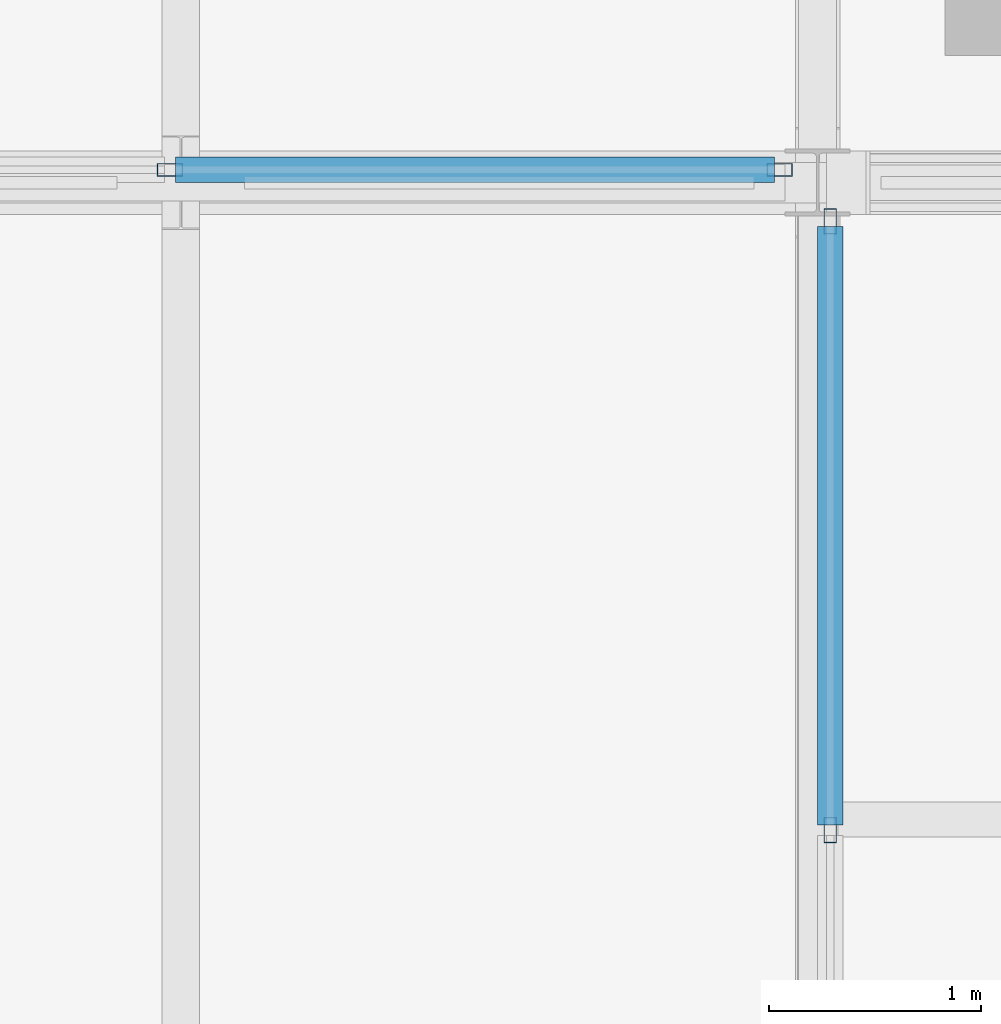
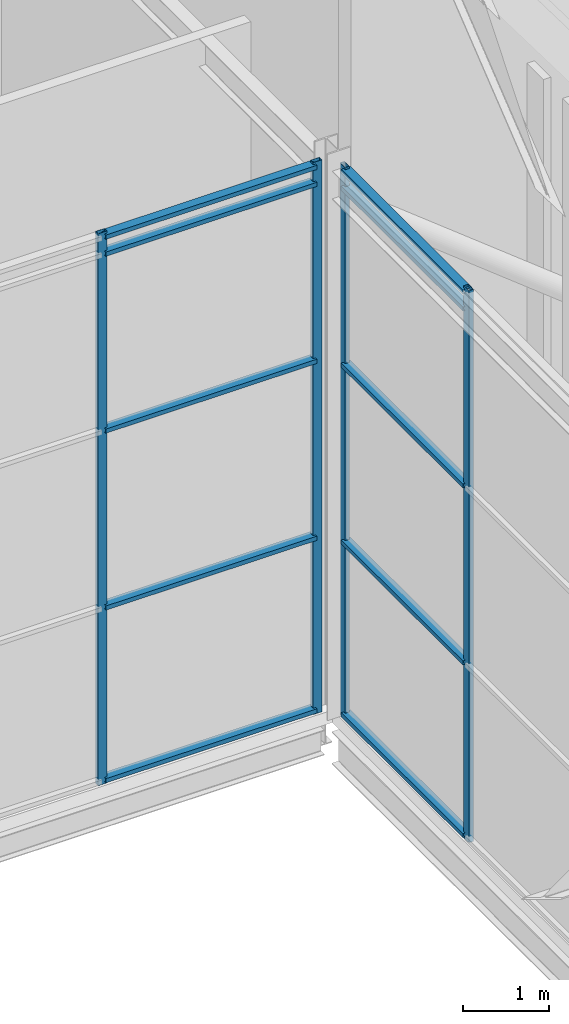
# One storey, part 90 of 144: 14 members, 2 elements without a shape of their own.
"""IFC4 building model written with IfcOpenShell, lengths in metres."""

from ifc_helpers import new_model, si_unit, direction, frame, origin, origin_2d, place, context, subcontext, project, spatial, hollow_rectangle, extrude, material, layer, layer_set, material_profile, profile_set, type_object, element, aggregate, save


model = new_model("IFC4")

# Units and contexts
model_context = context("Model", 3, precision=1e-05, world=origin(), true_north=direction((0.0, 1.0)))
body_context = subcontext(model_context, "Body", "Model", "MODEL_VIEW")
ifc_project = project(units=[si_unit("LENGTHUNIT", "METRE"), si_unit("AREAUNIT", "SQUARE_METRE"), si_unit("VOLUMEUNIT", "CUBIC_METRE"), si_unit("PLANEANGLEUNIT", "RADIAN"), si_unit("MASSUNIT", "GRAM", prefix="KILO")], contexts=[model_context])

# Site, building, storey
site_placement = place(None, origin())
site = spatial("IfcSite", under=ifc_project, at=site_placement, CompositionType="ELEMENT")
building_placement = place(site_placement, origin())
building = spatial("IfcBuilding", under=site, at=building_placement, Name="Shorebreak Coast Museum", CompositionType="ELEMENT")
storey_placement = place(building_placement, frame((0.0, 0.0, 36.0)))
storey = spatial("IfcBuildingStorey", under=building, at=storey_placement, Name="L06", CompositionType="ELEMENT", Elevation=36.0)

# Curtain wall, members
ifc_material_1 = material(Name="Aluminium", Category="aluminium")
ifc_layer = layer(ifc_material_1, 0.1201171875)
ifc_layer_set = layer_set([ifc_layer], Name="Aluminium")
curtain_wall_type = type_object("IfcCurtainWallType", Name="Atrium fire screen", PredefinedType="NOTDEFINED", material=ifc_layer_set)
curtain_wall_1_placement = place(storey_placement, origin())
curtain_wall_1 = element("IfcCurtainWall", 1, at=curtain_wall_1_placement, inside=storey, type_object=curtain_wall_type, Name="Atrium screen L06 N 88", PredefinedType="NOTDEFINED")
ifc_material_2 = material(Name="Aluminium", Category="aluminium")
ifc_material_profile_1 = material_profile(ifc_material_2, hollow_rectangle(XDim=0.06005859375, YDim=0.1201171875, WallThickness=0.00341796875, at=origin_2d()), Name="AL 120x60 RHS")
ifc_profile_set_1 = profile_set([ifc_material_profile_1], Name="Aluminium")
member_type_1 = type_object("IfcMemberType", Name="Screen mullion 50 x 120", PredefinedType="MULLION", material=ifc_profile_set_1)
member_1_placement = place(storey_placement, frame((104.94873046875, 81.06005859375, 0.0), z_axis=(0.0, 0.0, 1.0), x_axis=(0.0, 1.0, 0.0)))
member_1 = element("IfcMember", 2, at=member_1_placement, type_object=member_type_1, Name="CW5 mullion 3", PredefinedType="MULLION", context=body_context, shape_type="SweptSolid", body=[
    extrude(hollow_rectangle(XDim=0.06005859375, YDim=0.1201171875, WallThickness=0.00341796875, at=origin_2d()), origin(), (0.0, 0.0, 1.0), 7.800048828125),
])
member_2_placement = place(storey_placement, frame((107.821533203125, 81.06005859375, 0.0), z_axis=(0.0, 0.0, 1.0), x_axis=(0.0, 1.0, 0.0)))
member_2 = element("IfcMember", 3, at=member_2_placement, type_object=member_type_1, Name="CW5 mullion 4", PredefinedType="MULLION", context=body_context, shape_type="SweptSolid", body=[
    extrude(hollow_rectangle(XDim=0.06005859375, YDim=0.1201171875, WallThickness=0.00341796875, at=origin_2d()), origin(), (0.0, 0.0, 1.0), 7.800048828125),
])

curtain_wall_2_placement = place(storey_placement, origin())
curtain_wall_2 = element("IfcCurtainWall", 4, at=curtain_wall_2_placement, inside=storey, type_object=curtain_wall_type, Name="Atrium screen L06 E 92", PredefinedType="NOTDEFINED")
member_3_placement = place(storey_placement, frame((108.06005859375, 77.94970703125, 0.0), z_axis=(0.0, 0.0, 1.0), x_axis=(-1.0, 0.0, 0.0)))
member_3 = element("IfcMember", 5, at=member_3_placement, type_object=member_type_1, Name="CW6 mullion 3", PredefinedType="MULLION", context=body_context, shape_type="SweptSolid", body=[
    extrude(hollow_rectangle(XDim=0.06005859375, YDim=0.1201171875, WallThickness=0.00341796875, at=origin_2d()), origin(), (0.0, 0.0, 1.0), 7.800048828125),
])
member_4_placement = place(storey_placement, frame((108.06005859375, 80.817626953125, 0.0), z_axis=(0.0, 0.0, 1.0), x_axis=(-1.0, 0.0, 0.0)))
member_4 = element("IfcMember", 6, at=member_4_placement, type_object=member_type_1, Name="CW6 mullion 4", PredefinedType="MULLION", context=body_context, shape_type="SweptSolid", body=[
    extrude(hollow_rectangle(XDim=0.06005859375, YDim=0.1201171875, WallThickness=0.00341796875, at=origin_2d()), origin(), (0.0, 0.0, 1.0), 7.800048828125),
])

# Member
ifc_material_3 = material(Name="Aluminium", Category="aluminium")
ifc_material_profile_2 = material_profile(ifc_material_3, hollow_rectangle(XDim=0.1201171875, YDim=0.06005859375, WallThickness=0.00341796875, at=origin_2d()), Name="AL 60x120 RHS")
ifc_profile_set_2 = profile_set([ifc_material_profile_2], Name="Aluminium")
member_type_2 = type_object("IfcMemberType", Name="Screen transom 120 x 50", PredefinedType="USERDEFINED", material=ifc_profile_set_2)
member_5_placement = place(storey_placement, frame((104.973876953125, 81.06005859375, 0.06005859375), z_axis=(1.0, 0.0, 0.0), x_axis=(0.0, 1.0, 0.0)))
member_5 = element("IfcMember", 7, at=member_5_placement, type_object=member_type_2, Name="CW5 transom 3.1", ObjectType="TRANSOM", PredefinedType="USERDEFINED", context=body_context, shape_type="SweptSolid", body=[
    extrude(hollow_rectangle(XDim=0.1201171875, YDim=0.06005859375, WallThickness=0.00341796875, at=origin_2d()), origin(), (0.0, 0.0, 1.0), 2.822509765625),
])

member_6_placement = place(storey_placement, frame((104.973876953125, 81.06005859375, 2.5), z_axis=(1.0, 0.0, 0.0), x_axis=(0.0, 1.0, 0.0)))
member_6 = element("IfcMember", 8, at=member_6_placement, type_object=member_type_2, Name="CW5 transom 3.2", ObjectType="TRANSOM", PredefinedType="USERDEFINED", context=body_context, shape_type="SweptSolid", body=[
    extrude(hollow_rectangle(XDim=0.1201171875, YDim=0.06005859375, WallThickness=0.00341796875, at=origin_2d()), origin(), (0.0, 0.0, 1.0), 2.822509765625),
])

member_7_placement = place(storey_placement, frame((104.973876953125, 81.06005859375, 5.0), z_axis=(1.0, 0.0, 0.0), x_axis=(0.0, 1.0, 0.0)))
member_7 = element("IfcMember", 9, at=member_7_placement, type_object=member_type_2, Name="CW5 transom 3.3", ObjectType="TRANSOM", PredefinedType="USERDEFINED", context=body_context, shape_type="SweptSolid", body=[
    extrude(hollow_rectangle(XDim=0.1201171875, YDim=0.06005859375, WallThickness=0.00341796875, at=origin_2d()), origin(), (0.0, 0.0, 1.0), 2.822509765625),
])

member_8_placement = place(storey_placement, frame((104.973876953125, 81.06005859375, 7.5), z_axis=(1.0, 0.0, 0.0), x_axis=(0.0, 1.0, 0.0)))
member_8 = element("IfcMember", 10, at=member_8_placement, type_object=member_type_2, Name="CW5 transom 3.4", ObjectType="TRANSOM", PredefinedType="USERDEFINED", context=body_context, shape_type="SweptSolid", body=[
    extrude(hollow_rectangle(XDim=0.1201171875, YDim=0.06005859375, WallThickness=0.00341796875, at=origin_2d()), origin(), (0.0, 0.0, 1.0), 2.822509765625),
])

member_9_placement = place(storey_placement, frame((104.973876953125, 81.06005859375, 7.739990234375), z_axis=(1.0, 0.0, 0.0), x_axis=(0.0, 1.0, 0.0)))
member_9 = element("IfcMember", 11, at=member_9_placement, type_object=member_type_2, Name="CW5 transom 3.5", ObjectType="TRANSOM", PredefinedType="USERDEFINED", context=body_context, shape_type="SweptSolid", body=[
    extrude(hollow_rectangle(XDim=0.1201171875, YDim=0.06005859375, WallThickness=0.00341796875, at=origin_2d()), origin(), (0.0, 0.0, 1.0), 2.822509765625),
])

aggregate(curtain_wall_1, [member_1, member_2, member_5, member_6, member_7, member_8, member_9])

member_10_placement = place(storey_placement, frame((108.06005859375, 77.974609375, 0.06005859375), z_axis=(0.0, 1.0, 0.0), x_axis=(-1.0, 0.0, 0.0)))
member_10 = element("IfcMember", 12, at=member_10_placement, type_object=member_type_2, Name="CW6 transom 3.1", ObjectType="TRANSOM", PredefinedType="USERDEFINED", context=body_context, shape_type="SweptSolid", body=[
    extrude(hollow_rectangle(XDim=0.1201171875, YDim=0.06005859375, WallThickness=0.00341796875, at=origin_2d()), origin(), (0.0, 0.0, 1.0), 2.818115234375),
])

member_11_placement = place(storey_placement, frame((108.06005859375, 77.974609375, 2.5), z_axis=(0.0, 1.0, 0.0), x_axis=(-1.0, 0.0, 0.0)))
member_11 = element("IfcMember", 13, at=member_11_placement, type_object=member_type_2, Name="CW6 transom 3.2", ObjectType="TRANSOM", PredefinedType="USERDEFINED", context=body_context, shape_type="SweptSolid", body=[
    extrude(hollow_rectangle(XDim=0.1201171875, YDim=0.06005859375, WallThickness=0.00341796875, at=origin_2d()), origin(), (0.0, 0.0, 1.0), 2.818115234375),
])

member_12_placement = place(storey_placement, frame((108.06005859375, 77.974609375, 5.0), z_axis=(0.0, 1.0, 0.0), x_axis=(-1.0, 0.0, 0.0)))
member_12 = element("IfcMember", 14, at=member_12_placement, type_object=member_type_2, Name="CW6 transom 3.3", ObjectType="TRANSOM", PredefinedType="USERDEFINED", context=body_context, shape_type="SweptSolid", body=[
    extrude(hollow_rectangle(XDim=0.1201171875, YDim=0.06005859375, WallThickness=0.00341796875, at=origin_2d()), origin(), (0.0, 0.0, 1.0), 2.818115234375),
])

member_13_placement = place(storey_placement, frame((108.06005859375, 77.974609375, 7.5), z_axis=(0.0, 1.0, 0.0), x_axis=(-1.0, 0.0, 0.0)))
member_13 = element("IfcMember", 15, at=member_13_placement, type_object=member_type_2, Name="CW6 transom 3.4", ObjectType="TRANSOM", PredefinedType="USERDEFINED", context=body_context, shape_type="SweptSolid", body=[
    extrude(hollow_rectangle(XDim=0.1201171875, YDim=0.06005859375, WallThickness=0.00341796875, at=origin_2d()), origin(), (0.0, 0.0, 1.0), 2.818115234375),
])

member_14_placement = place(storey_placement, frame((108.06005859375, 77.974609375, 7.739990234375), z_axis=(0.0, 1.0, 0.0), x_axis=(-1.0, 0.0, 0.0)))
member_14 = element("IfcMember", 16, at=member_14_placement, type_object=member_type_2, Name="CW6 transom 3.5", ObjectType="TRANSOM", PredefinedType="USERDEFINED", context=body_context, shape_type="SweptSolid", body=[
    extrude(hollow_rectangle(XDim=0.1201171875, YDim=0.06005859375, WallThickness=0.00341796875, at=origin_2d()), origin(), (0.0, 0.0, 1.0), 2.818115234375),
])

aggregate(curtain_wall_2, [member_3, member_4, member_10, member_11, member_12, member_13, member_14])

save(model, "model.ifc")
